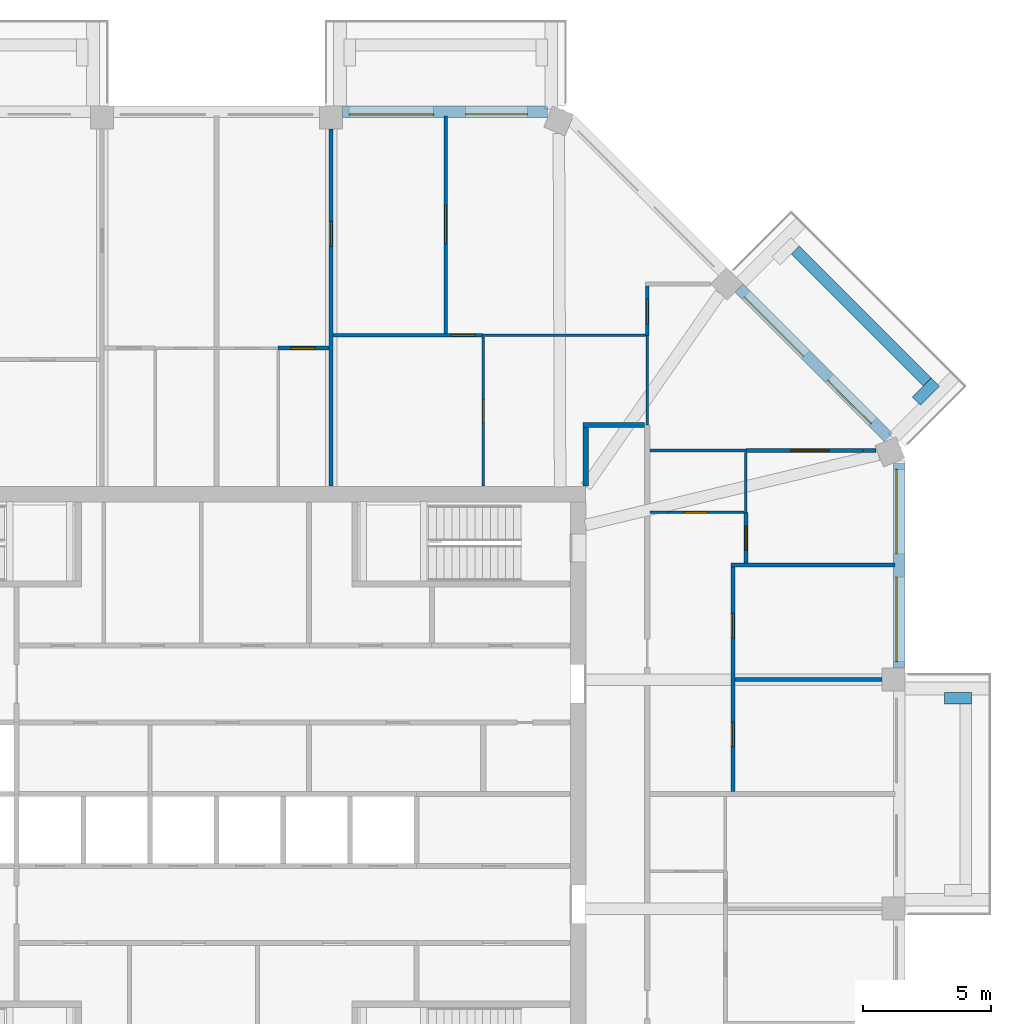
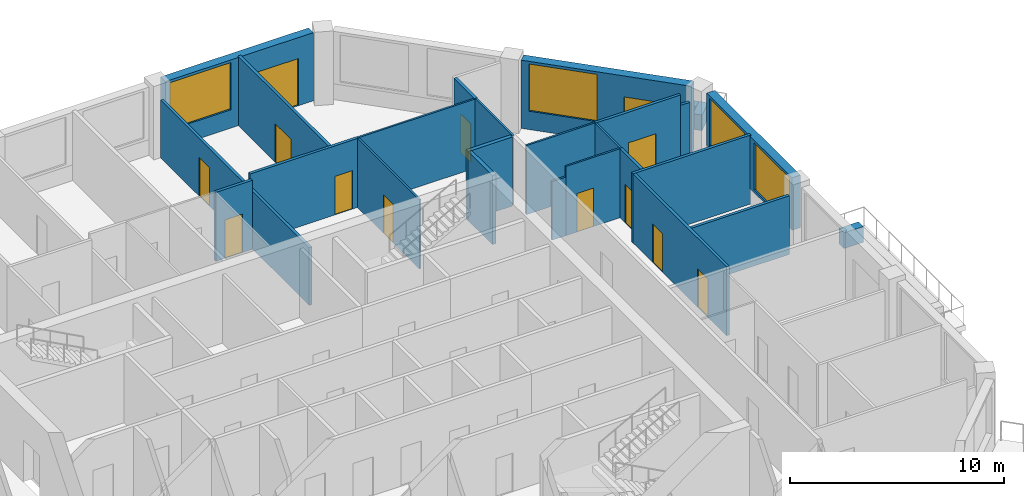
# One storey, part 9 of 12: 26 walls, 13 doors, 4 windows, 17 openings.
"""IFC4 building model written with IfcOpenShell, lengths in metres."""

from ifc_helpers import new_model, si_unit, direction, frame, frame_2d, origin, place, context, subcontext, project, spatial, rectangle, extrude, material, layer, layer_set, type_object, element, fill, save


model = new_model("IFC4")

# Units and contexts
model_context = context("Model", 3, precision=1e-05, world=origin(), true_north=direction((0.0, 1.0)))
body_context = subcontext(model_context, "Body", "Model", "MODEL_VIEW")
ifc_project = project(units=[si_unit("LENGTHUNIT", "METRE"), si_unit("AREAUNIT", "SQUARE_METRE"), si_unit("VOLUMEUNIT", "CUBIC_METRE"), si_unit("PLANEANGLEUNIT", "RADIAN"), si_unit("MASSUNIT", "GRAM", prefix="KILO")], contexts=[model_context])

# Site, building, storey
site_placement = place(None, origin())
site = spatial("IfcSite", under=ifc_project, at=site_placement, CompositionType="ELEMENT")
building_placement = place(site_placement, origin())
building = spatial("IfcBuilding", under=site, at=building_placement, Name="Msitu Wima Residences", CompositionType="ELEMENT")
storey_placement = place(building_placement, frame((0.0, 0.0, 251.699951171875)))
storey = spatial("IfcBuildingStorey", under=building, at=storey_placement, Name="L58", CompositionType="ELEMENT", Elevation=251.699951171875)

# Walls
ifc_material_1 = material(Name="Facing brick")
ifc_layer_1 = layer(ifc_material_1, 0.06494140625, Name="Facing brick")
ifc_material_2 = material(Name="Concrete C40/50", Category="concrete")
ifc_layer_2 = layer(ifc_material_2, 0.156005859375, Name="Concrete C40/50")
ifc_material_3 = material(Name="Waterproofing membrane")
ifc_layer_3 = layer(ifc_material_3, 0.00390625, Name="Waterproofing membrane")
ifc_material_4 = material(Name="Planting soil and planting")
ifc_layer_4 = layer(ifc_material_4, 0.22509765625, Name="Planting soil and planting")
ifc_layer_set_1 = layer_set([ifc_layer_1, ifc_layer_2, ifc_layer_3, ifc_layer_4], Name="Concrete C40/50")
wall_type_1 = type_object("IfcWallType", Name="Balcony planter PLANTER PL450", PredefinedType="USERDEFINED", material=ifc_layer_set_1)
wall_1_placement = place(storey_placement, frame((28.39990234375, 3.74365234375, 0.0), z_axis=(0.0, 0.0, 1.0), x_axis=(1.0, 0.0, 0.0)))
element("IfcWall", 1, at=wall_1_placement, inside=storey, type_object=wall_type_1, Name="Balcony planter E1 L58", ObjectType="PLANTER", PredefinedType="USERDEFINED", context=body_context, shape_type="SweptSolid", body=[
    extrude(rectangle(XDim=1.050048828125, YDim=0.449951171875, at=frame_2d((0.52490234375, 0.0))), origin(), (0.0, 0.0, 1.0), 0.900146484375),
])
wall_2_placement = place(storey_placement, frame((27.725830078125, 16.0751953125, 0.0), z_axis=(0.0, 0.0, 1.0), x_axis=(-0.707106781187, 0.707106781187, 0.0)))
element("IfcWall", 2, at=wall_2_placement, inside=storey, type_object=wall_type_1, Name="Balcony planter NE0 L58", ObjectType="PLANTER", PredefinedType="USERDEFINED", context=body_context, shape_type="SweptSolid", body=[
    extrude(rectangle(XDim=7.288330078125, YDim=0.449951171875, at=frame_2d((3.64404296875, 0.0))), origin(), (0.0, 0.0, 1.0), 0.900146484375),
])
wall_3_placement = place(storey_placement, frame((27.301513671875, 15.332763671875, 0.0), z_axis=(0.0, 0.0, 1.0), x_axis=(0.707106781187, 0.707106781187, 0.0)))
element("IfcWall", 3, at=wall_3_placement, inside=storey, type_object=wall_type_1, Name="Balcony planter NE0 L58", ObjectType="PLANTER", PredefinedType="USERDEFINED", context=body_context, shape_type="SweptSolid", body=[
    extrude(rectangle(XDim=1.050048828125, YDim=0.449951171875, at=frame_2d((0.52490234375, 0.0))), origin(), (0.0, 0.0, 1.0), 0.900146484375),
])

# Wall, openings, windows
ifc_material_5 = material(Name="Brick (red buff mix)", Category="masonry")
ifc_layer_5 = layer(ifc_material_5, 0.449951171875)
ifc_layer_set_2 = layer_set([ifc_layer_5], Name="Brick (red buff mix)")
wall_type_2 = type_object("IfcWallType", Name="Brick infill wall BW450", PredefinedType="SOLIDWALL", material=ifc_layer_set_2)
wall_4_placement = place(storey_placement, frame((26.625, 4.918701171875, 0.900146484375), z_axis=(0.0, 0.0, 1.0), x_axis=(0.0, 1.0, 0.0)))
wall_4 = element("IfcWall", 4, at=wall_4_placement, inside=storey, type_object=wall_type_2, Name="Brick infill wall L58 E2", PredefinedType="SOLIDWALL", context=body_context, shape_type="SweptSolid", body=[
    extrude(rectangle(XDim=8.0, YDim=0.449951171875, at=frame_2d((4.0, 0.0))), origin(), (0.0, 0.0, 1.0), 3.0),
])
opening_1_placement = place(wall_4_placement, frame((0.25, 0.0, 0.14990234375)))
opening_1 = element("IfcOpeningElement", 5, at=opening_1_placement, cuts=wall_4, Name="Opening W57-59.004", PredefinedType="OPENING", context=body_context, shape_type="SweptSolid", body=[
    extrude(rectangle(XDim=3.300048828125, YDim=2.699951171875, at=frame_2d((1.64990234375, 1.35009765625))), frame((0.0, 0.23486328125, 0.0), z_axis=(0.0, -1.0, 0.0), x_axis=(1.0, 0.0, 0.0)), (0.0, 0.0, 1.0), 0.469970703125),
])
opening_2_placement = place(wall_4_placement, frame((4.4501953125, 0.0, 0.14990234375)))
opening_2 = element("IfcOpeningElement", 6, at=opening_2_placement, cuts=wall_4, Name="Opening W57-59.005", PredefinedType="OPENING", context=body_context, shape_type="SweptSolid", body=[
    extrude(rectangle(XDim=3.300048828125, YDim=2.699951171875, at=frame_2d((1.64990234375, 1.35009765625))), frame((0.0, 0.23486328125, 0.0), z_axis=(0.0, -1.0, 0.0), x_axis=(1.0, 0.0, 0.0)), (0.0, 0.0, 1.0), 0.469970703125),
])
ifc_material_6 = material(Name="Anodised aluminium, bronze finish, clear low-emissivity double glazing", Category="aluminium")
window_type = type_object("IfcWindowType", Name="Window W3300x2700", PartitioningType="DOUBLE_PANEL_VERTICAL", PredefinedType="WINDOW", material=ifc_material_6)
window_1_placement = place(opening_1_placement, origin())
window_1 = element("IfcWindow", 7, at=window_1_placement, inside=storey, type_object=window_type, Name="Window L58 E2.1", OverallHeight=2.699951171875, OverallWidth=3.300048828125, PartitioningType="SINGLE_PANEL", PredefinedType="WINDOW", context=body_context, shape_type="SweptSolid", body=[
    extrude(rectangle(XDim=3.300048828125, YDim=2.699951171875, at=frame_2d((1.64990234375, 1.35009765625))), frame((0.0, 0.135009765625, 0.0), z_axis=(0.0, -1.0, 0.0), x_axis=(1.0, 0.0, 0.0)), (0.0, 0.0, 1.0), 0.06005859375),
])
fill(opening_1, window_1)
window_2_placement = place(opening_2_placement, origin())
window_2 = element("IfcWindow", 8, at=window_2_placement, inside=storey, type_object=window_type, Name="Window L58 E2.2", OverallHeight=2.699951171875, OverallWidth=3.300048828125, PartitioningType="SINGLE_PANEL", PredefinedType="WINDOW", context=body_context, shape_type="SweptSolid", body=[
    extrude(rectangle(XDim=3.300048828125, YDim=2.699951171875, at=frame_2d((1.64990234375, 1.35009765625))), frame((0.0, 0.135009765625, 0.0), z_axis=(0.0, -1.0, 0.0), x_axis=(1.0, 0.0, 0.0)), (0.0, 0.0, 1.0), 0.06005859375),
])
fill(opening_2, window_2)

# Wall, openings, door, window
wall_5_placement = place(storey_placement, frame((26.214599609375, 13.909423828125, 0.0), z_axis=(0.0, 0.0, 1.0), x_axis=(-0.707106781187, 0.707106781187, 0.0)))
wall_5 = element("IfcWall", 9, at=wall_5_placement, inside=storey, type_object=wall_type_2, Name="Brick infill wall L58 NE0", PredefinedType="SOLIDWALL", context=body_context, shape_type="SweptSolid", body=[
    extrude(rectangle(XDim=8.251220703125, YDim=0.449951171875, at=frame_2d((4.12548828125, 0.0))), origin(), (0.0, 0.0, 1.0), 3.900146484375),
])
opening_3_placement = place(wall_5_placement, frame((0.86279296875, 0.0, 0.0)))
opening_3 = element("IfcOpeningElement", 10, at=opening_3_placement, cuts=wall_5, Name="Opening D57-59.004", PredefinedType="OPENING", context=body_context, shape_type="SweptSolid", body=[
    extrude(rectangle(XDim=2.39990234375, YDim=2.699951171875, at=frame_2d((1.199951171875, 1.35009765625))), frame((0.0, 0.23486328125, 0.0), z_axis=(0.0, -1.0, 0.0), x_axis=(1.0, 0.0, 0.0)), (0.0, 0.0, 1.0), 0.469970703125),
])
opening_4_placement = place(wall_5_placement, frame((4.57568359375, 0.0, 1.050048828125)))
opening_4 = element("IfcOpeningElement", 11, at=opening_4_placement, cuts=wall_5, Name="Opening W57-59.010", PredefinedType="OPENING", context=body_context, shape_type="SweptSolid", body=[
    extrude(rectangle(XDim=3.300048828125, YDim=2.699951171875, at=frame_2d((1.64990234375, 1.35009765625))), frame((0.0, 0.23486328125, 0.0), z_axis=(0.0, -1.0, 0.0), x_axis=(1.0, 0.0, 0.0)), (0.0, 0.0, 1.0), 0.469970703125),
])
door_type_1 = type_object("IfcDoorType", Name="Balcony door D2400x2700", OperationType="SLIDING_TO_LEFT", PredefinedType="DOOR", material=ifc_material_6)
door_1_placement = place(opening_3_placement, origin())
door_1 = element("IfcDoor", 12, at=door_1_placement, inside=storey, type_object=door_type_1, Name="Balcony door L58 NE0", OperationType="SINGLE_SWING_LEFT", OverallHeight=2.699951171875, OverallWidth=2.39990234375, PredefinedType="DOOR", context=body_context, shape_type="SweptSolid", body=[
    extrude(rectangle(XDim=2.39990234375, YDim=2.699951171875, at=frame_2d((1.199951171875, 1.35009765625))), frame((0.0, 0.1298828125, 0.0), z_axis=(0.0, -1.0, 0.0), x_axis=(1.0, 0.0, 0.0)), (0.0, 0.0, 1.0), 0.050048828125),
])
fill(opening_3, door_1)
window_3_placement = place(opening_4_placement, origin())
window_3 = element("IfcWindow", 13, at=window_3_placement, inside=storey, type_object=window_type, Name="Window L58 NE0.2", OverallHeight=2.699951171875, OverallWidth=3.300048828125, PartitioningType="SINGLE_PANEL", PredefinedType="WINDOW", context=body_context, shape_type="SweptSolid", body=[
    extrude(rectangle(XDim=3.300048828125, YDim=2.699951171875, at=frame_2d((1.64990234375, 1.35009765625))), frame((0.0, 0.135009765625, 0.0), z_axis=(0.0, -1.0, 0.0), x_axis=(1.0, 0.0, 0.0)), (0.0, 0.0, 1.0), 0.06005859375),
])
fill(opening_4, window_3)

wall_6_placement = place(storey_placement, frame((12.918701171875, 26.625, 0.0), z_axis=(0.0, 0.0, 1.0), x_axis=(-1.0, 0.0, 0.0)))
wall_6 = element("IfcWall", 14, at=wall_6_placement, inside=storey, type_object=wall_type_2, Name="Brick infill wall L58 N0", PredefinedType="SOLIDWALL", context=body_context, shape_type="SweptSolid", body=[
    extrude(rectangle(XDim=8.0, YDim=0.449951171875, at=frame_2d((4.0, 0.0))), origin(), (0.0, 0.0, 1.0), 3.900146484375),
])
opening_5_placement = place(wall_6_placement, frame((0.800048828125, 0.0, 0.0)))
opening_5 = element("IfcOpeningElement", 15, at=opening_5_placement, cuts=wall_6, Name="Opening D57-59.002", PredefinedType="OPENING", context=body_context, shape_type="SweptSolid", body=[
    extrude(rectangle(XDim=2.39990234375, YDim=2.699951171875, at=frame_2d((1.199951171875, 1.35009765625))), frame((0.0, 0.23486328125, 0.0), z_axis=(0.0, -1.0, 0.0), x_axis=(1.0, 0.0, 0.0)), (0.0, 0.0, 1.0), 0.469970703125),
])
opening_6_placement = place(wall_6_placement, frame((4.4501953125, 0.0, 1.050048828125)))
opening_6 = element("IfcOpeningElement", 16, at=opening_6_placement, cuts=wall_6, Name="Opening W57-59.006", PredefinedType="OPENING", context=body_context, shape_type="SweptSolid", body=[
    extrude(rectangle(XDim=3.300048828125, YDim=2.699951171875, at=frame_2d((1.64990234375, 1.35009765625))), frame((0.0, 0.23486328125, 0.0), z_axis=(0.0, -1.0, 0.0), x_axis=(1.0, 0.0, 0.0)), (0.0, 0.0, 1.0), 0.469970703125),
])
door_2_placement = place(opening_5_placement, origin())
door_2 = element("IfcDoor", 17, at=door_2_placement, inside=storey, type_object=door_type_1, Name="Balcony door L58 N0", OperationType="SINGLE_SWING_LEFT", OverallHeight=2.699951171875, OverallWidth=2.39990234375, PredefinedType="DOOR", context=body_context, shape_type="SweptSolid", body=[
    extrude(rectangle(XDim=2.39990234375, YDim=2.699951171875, at=frame_2d((1.199951171875, 1.35009765625))), frame((0.0, 0.1298828125, 0.0), z_axis=(0.0, -1.0, 0.0), x_axis=(1.0, 0.0, 0.0)), (0.0, 0.0, 1.0), 0.050048828125),
])
fill(opening_5, door_2)
window_4_placement = place(opening_6_placement, origin())
window_4 = element("IfcWindow", 18, at=window_4_placement, inside=storey, type_object=window_type, Name="Window L58 N0.2", OverallHeight=2.699951171875, OverallWidth=3.300048828125, PartitioningType="SINGLE_PANEL", PredefinedType="WINDOW", context=body_context, shape_type="SweptSolid", body=[
    extrude(rectangle(XDim=3.300048828125, YDim=2.699951171875, at=frame_2d((1.64990234375, 1.35009765625))), frame((0.0, 0.135009765625, 0.0), z_axis=(0.0, -1.0, 0.0), x_axis=(1.0, 0.0, 0.0)), (0.0, 0.0, 1.0), 0.06005859375),
])
fill(opening_6, window_4)

# Walls
ifc_material_7 = material(Name="Plaster")
ifc_layer_6 = layer(ifc_material_7, 0.011962890625, Name="Plaster")
ifc_material_8 = material(Name="Concrete blockwork", Category="masonry")
ifc_layer_7 = layer(ifc_material_8, 0.176025390625, Name="Concrete blockwork")
ifc_layer_8 = layer(ifc_material_7, 0.011962890625, Name="Plaster")
ifc_layer_set_3 = layer_set([ifc_layer_6, ifc_layer_7, ifc_layer_8], Name="Concrete blockwork")
wall_type_3 = type_object("IfcWallType", Name="Corridor wall FW200", PredefinedType="PARTITIONING", material=ifc_layer_set_3)
wall_7_placement = place(storey_placement, frame((14.39990234375, 12.030029296875, 0.0), z_axis=(0.0, 0.0, 1.0), x_axis=(0.0, 1.0, 0.0)))
element("IfcWall", 19, at=wall_7_placement, inside=storey, type_object=wall_type_3, Name="Corridor wall", PredefinedType="PARTITIONING", context=body_context, shape_type="SweptSolid", body=[
    extrude(rectangle(XDim=2.27001953125, YDim=0.199951171875, at=frame_2d((1.135009765625, 0.0))), origin(), (0.0, 0.0, 1.0), 3.949951171875),
])
wall_8_placement = place(storey_placement, frame((14.300048828125, 14.39990234375, 0.0), z_axis=(0.0, 0.0, 1.0), x_axis=(1.0, 0.0, 0.0)))
element("IfcWall", 20, at=wall_8_placement, inside=storey, type_object=wall_type_3, Name="Corridor wall", PredefinedType="PARTITIONING", context=body_context, shape_type="SweptSolid", body=[
    extrude(rectangle(XDim=2.39990234375, YDim=0.199951171875, at=frame_2d((1.199951171875, 0.0))), origin(), (0.0, 0.0, 1.0), 3.949951171875),
])

# Wall, opening, door
ifc_layer_9 = layer(ifc_material_7, 0.011962890625, Name="Plaster")
ifc_layer_10 = layer(ifc_material_8, 0.1259765625, Name="Concrete blockwork")
ifc_layer_11 = layer(ifc_material_7, 0.011962890625, Name="Plaster")
ifc_layer_set_4 = layer_set([ifc_layer_9, ifc_layer_10, ifc_layer_11], Name="Concrete blockwork")
wall_type_4 = type_object("IfcWallType", Name="Partition PW150", PredefinedType="PARTITIONING", material=ifc_layer_set_4)
wall_9_placement = place(storey_placement, frame((2.39990234375, 17.39990234375, 0.0), z_axis=(0.0, 0.0, 1.0), x_axis=(1.0, 0.0, 0.0)))
wall_9 = element("IfcWall", 21, at=wall_9_placement, inside=storey, type_object=wall_type_4, Name="Partition", PredefinedType="PARTITIONING", context=body_context, shape_type="SweptSolid", body=[
    extrude(rectangle(XDim=1.99365234375, YDim=0.14990234375, at=frame_2d((0.996826171875, 0.0))), origin(), (0.0, 0.0, 1.0), 3.949951171875),
])
opening_7_placement = place(wall_9_placement, frame((0.5, 0.0, 0.0)))
opening_7 = element("IfcOpeningElement", 22, at=opening_7_placement, cuts=wall_9, Name="Opening D57-59.015", PredefinedType="OPENING", context=body_context, shape_type="SweptSolid", body=[
    extrude(rectangle(XDim=0.949951171875, YDim=2.199951171875, at=frame_2d((0.47509765625, 1.10009765625))), frame((0.0, 0.0849609375, 0.0), z_axis=(0.0, -1.0, 0.0), x_axis=(1.0, 0.0, 0.0)), (0.0, 0.0, 1.0), 0.169921875),
])
ifc_material_9 = material(Name="Timber flush door", Category="wood")
door_type_2 = type_object("IfcDoorType", Name="Room door D12 950x2200", OperationType="SINGLE_SWING_LEFT", PredefinedType="DOOR", material=ifc_material_9)
door_3_placement = place(opening_7_placement, origin())
door_3 = element("IfcDoor", 23, at=door_3_placement, inside=storey, type_object=door_type_2, Name="Room door", OperationType="SINGLE_SWING_RIGHT", OverallHeight=2.199951171875, OverallWidth=0.949951171875, PredefinedType="DOOR", context=body_context, shape_type="SweptSolid", body=[
    extrude(rectangle(XDim=0.949951171875, YDim=2.199951171875, at=frame_2d((0.47509765625, 1.10009765625))), frame((0.0, 0.02490234375, 0.0), z_axis=(0.0, -1.0, 0.0), x_axis=(1.0, 0.0, 0.0)), (0.0, 0.0, 1.0), 0.050048828125),
])
fill(opening_7, door_3)

wall_10_placement = place(storey_placement, frame((4.46875, 12.030029296875, 0.0), z_axis=(0.0, 0.0, 1.0), x_axis=(0.0, 1.0, 0.0)))
wall_10 = element("IfcWall", 24, at=wall_10_placement, inside=storey, type_object=wall_type_4, Name="Partition", PredefinedType="PARTITIONING", context=body_context, shape_type="SweptSolid", body=[
    extrude(rectangle(XDim=13.919921875, YDim=0.14990234375, at=frame_2d((6.9599609375, 0.0))), origin(), (0.0, 0.0, 1.0), 3.300048828125),
])
opening_8_placement = place(wall_10_placement, frame((9.35009765625, 0.0, 0.0)))
opening_8 = element("IfcOpeningElement", 25, at=opening_8_placement, cuts=wall_10, Name="Opening D57-59.013", PredefinedType="OPENING", context=body_context, shape_type="SweptSolid", body=[
    extrude(rectangle(XDim=0.949951171875, YDim=2.199951171875, at=frame_2d((0.47509765625, 1.10009765625))), frame((0.0, 0.0849609375, 0.0), z_axis=(0.0, -1.0, 0.0), x_axis=(1.0, 0.0, 0.0)), (0.0, 0.0, 1.0), 0.169921875),
])
door_4_placement = place(opening_8_placement, origin())
door_4 = element("IfcDoor", 26, at=door_4_placement, inside=storey, type_object=door_type_2, Name="Room door", OperationType="SINGLE_SWING_RIGHT", OverallHeight=2.199951171875, OverallWidth=0.949951171875, PredefinedType="DOOR", context=body_context, shape_type="SweptSolid", body=[
    extrude(rectangle(XDim=0.949951171875, YDim=2.199951171875, at=frame_2d((0.47509765625, 1.10009765625))), frame((0.0, 0.02490234375, 0.0), z_axis=(0.0, -1.0, 0.0), x_axis=(1.0, 0.0, 0.0)), (0.0, 0.0, 1.0), 0.050048828125),
])
fill(opening_8, door_4)

wall_11_placement = place(storey_placement, frame((4.543701171875, 17.89990234375, 0.0), z_axis=(0.0, 0.0, 1.0), x_axis=(1.0, 0.0, 0.0)))
wall_11 = element("IfcWall", 27, at=wall_11_placement, inside=storey, type_object=wall_type_4, Name="Partition", PredefinedType="PARTITIONING", context=body_context, shape_type="SweptSolid", body=[
    extrude(rectangle(XDim=5.836181640625, YDim=0.14990234375, at=frame_2d((2.91796875, 0.0))), origin(), (0.0, 0.0, 1.0), 3.949951171875),
])
opening_9_placement = place(wall_11_placement, frame((4.60009765625, 0.0, 0.0)))
opening_9 = element("IfcOpeningElement", 28, at=opening_9_placement, cuts=wall_11, Name="Opening D57-59.021", PredefinedType="OPENING", context=body_context, shape_type="SweptSolid", body=[
    extrude(rectangle(XDim=0.949951171875, YDim=2.199951171875, at=frame_2d((0.47509765625, 1.10009765625))), frame((0.0, 0.0849609375, 0.0), z_axis=(0.0, -1.0, 0.0), x_axis=(1.0, 0.0, 0.0)), (0.0, 0.0, 1.0), 0.169921875),
])
door_5_placement = place(opening_9_placement, origin())
door_5 = element("IfcDoor", 29, at=door_5_placement, inside=storey, type_object=door_type_2, Name="Room door", OperationType="SINGLE_SWING_LEFT", OverallHeight=2.199951171875, OverallWidth=0.949951171875, PredefinedType="DOOR", context=body_context, shape_type="SweptSolid", body=[
    extrude(rectangle(XDim=0.949951171875, YDim=2.199951171875, at=frame_2d((0.47509765625, 1.10009765625))), frame((0.0, 0.02490234375, 0.0), z_axis=(0.0, -1.0, 0.0), x_axis=(1.0, 0.0, 0.0)), (0.0, 0.0, 1.0), 0.050048828125),
])
fill(opening_9, door_5)

wall_12_placement = place(storey_placement, frame((8.937255859375, 17.97509765625, 0.0), z_axis=(0.0, 0.0, 1.0), x_axis=(0.0, 1.0, 0.0)))
wall_12 = element("IfcWall", 30, at=wall_12_placement, inside=storey, type_object=wall_type_4, Name="Partition", PredefinedType="PARTITIONING", context=body_context, shape_type="SweptSolid", body=[
    extrude(rectangle(XDim=8.47998046875, YDim=0.14990234375, at=frame_2d((4.239990234375, 0.0))), origin(), (0.0, 0.0, 1.0), 3.949951171875),
])
opening_10_placement = place(wall_12_placement, frame((3.5, 0.0, 0.0)))
opening_10 = element("IfcOpeningElement", 31, at=opening_10_placement, cuts=wall_12, Name="Opening D57-59.023", PredefinedType="OPENING", context=body_context, shape_type="SweptSolid", body=[
    extrude(rectangle(XDim=1.5, YDim=2.199951171875, at=frame_2d((0.75, 1.10009765625))), frame((0.0, 0.0849609375, 0.0), z_axis=(0.0, -1.0, 0.0), x_axis=(1.0, 0.0, 0.0)), (0.0, 0.0, 1.0), 0.169921875),
])
ifc_material_10 = material(Name="Timber double door", Category="wood")
door_type_3 = type_object("IfcDoorType", Name="Double door D04 1500x2200", OperationType="DOUBLE_DOOR_SINGLE_SWING", PredefinedType="DOOR", material=ifc_material_10)
door_6_placement = place(opening_10_placement, origin())
door_6 = element("IfcDoor", 32, at=door_6_placement, inside=storey, type_object=door_type_3, Name="Double door", OperationType="DOUBLE_DOOR_SINGLE_SWING", OverallHeight=2.199951171875, OverallWidth=1.5, PredefinedType="DOOR", context=body_context, shape_type="SweptSolid", body=[
    extrude(rectangle(XDim=1.5, YDim=2.199951171875, at=frame_2d((0.75, 1.10009765625))), frame((0.0, 0.02490234375, 0.0), z_axis=(0.0, -1.0, 0.0), x_axis=(1.0, 0.0, 0.0)), (0.0, 0.0, 1.0), 0.050048828125),
])
fill(opening_10, door_6)

wall_13_placement = place(storey_placement, frame((16.800048828125, 17.89990234375, 0.0), z_axis=(0.0, 0.0, 1.0), x_axis=(0.0, 1.0, 0.0)))
wall_13 = element("IfcWall", 33, at=wall_13_placement, inside=storey, type_object=wall_type_4, Name="Partition", PredefinedType="PARTITIONING", context=body_context, shape_type="SweptSolid", body=[
    extrude(rectangle(XDim=1.927978515625, YDim=0.14990234375, at=frame_2d((0.9638671875, 0.0))), origin(), (0.0, 0.0, 1.0), 3.949951171875),
])
opening_11_placement = place(wall_13_placement, frame((0.449951171875, 0.0, 0.0)))
opening_11 = element("IfcOpeningElement", 34, at=opening_11_placement, cuts=wall_13, Name="Opening D57-59.020", PredefinedType="OPENING", context=body_context, shape_type="SweptSolid", body=[
    extrude(rectangle(XDim=0.949951171875, YDim=2.199951171875, at=frame_2d((0.47509765625, 1.10009765625))), frame((0.0, 0.0849609375, 0.0), z_axis=(0.0, -1.0, 0.0), x_axis=(1.0, 0.0, 0.0)), (0.0, 0.0, 1.0), 0.169921875),
])
door_7_placement = place(opening_11_placement, origin())
door_7 = element("IfcDoor", 35, at=door_7_placement, inside=storey, type_object=door_type_2, Name="Room door", OperationType="SINGLE_SWING_LEFT", OverallHeight=2.199951171875, OverallWidth=0.949951171875, PredefinedType="DOOR", context=body_context, shape_type="SweptSolid", body=[
    extrude(rectangle(XDim=0.949951171875, YDim=2.199951171875, at=frame_2d((0.47509765625, 1.10009765625))), frame((0.0, 0.02490234375, 0.0), z_axis=(0.0, -1.0, 0.0), x_axis=(1.0, 0.0, 0.0)), (0.0, 0.0, 1.0), 0.050048828125),
])
fill(opening_11, door_7)

# Wall, openings, doors
wall_14_placement = place(storey_placement, frame((20.14990234375, 0.10009765625, 0.0), z_axis=(0.0, 0.0, 1.0), x_axis=(0.0, 1.0, 0.0)))
wall_14 = element("IfcWall", 36, at=wall_14_placement, inside=storey, type_object=wall_type_4, Name="Partition", PredefinedType="PARTITIONING", context=body_context, shape_type="SweptSolid", body=[
    extrude(rectangle(XDim=8.76220703125, YDim=0.14990234375, at=frame_2d((4.381103515625, 0.0))), origin(), (0.0, 0.0, 1.0), 3.949951171875),
])
opening_12_placement = place(wall_14_placement, frame((1.75, 0.0, 0.0)))
opening_12 = element("IfcOpeningElement", 37, at=opening_12_placement, cuts=wall_14, Name="Opening D57-59.016", PredefinedType="OPENING", context=body_context, shape_type="SweptSolid", body=[
    extrude(rectangle(XDim=0.949951171875, YDim=2.199951171875, at=frame_2d((0.47509765625, 1.10009765625))), frame((0.0, 0.0849609375, 0.0), z_axis=(0.0, -1.0, 0.0), x_axis=(1.0, 0.0, 0.0)), (0.0, 0.0, 1.0), 0.169921875),
])
opening_13_placement = place(wall_14_placement, frame((6.0, 0.0, 0.0)))
opening_13 = element("IfcOpeningElement", 38, at=opening_13_placement, cuts=wall_14, Name="Opening D57-59.017", PredefinedType="OPENING", context=body_context, shape_type="SweptSolid", body=[
    extrude(rectangle(XDim=0.949951171875, YDim=2.199951171875, at=frame_2d((0.47509765625, 1.10009765625))), frame((0.0, 0.0849609375, 0.0), z_axis=(0.0, -1.0, 0.0), x_axis=(1.0, 0.0, 0.0)), (0.0, 0.0, 1.0), 0.169921875),
])
door_8_placement = place(opening_12_placement, origin())
door_8 = element("IfcDoor", 39, at=door_8_placement, inside=storey, type_object=door_type_2, Name="Room door", OperationType="SINGLE_SWING_LEFT", OverallHeight=2.199951171875, OverallWidth=0.949951171875, PredefinedType="DOOR", context=body_context, shape_type="SweptSolid", body=[
    extrude(rectangle(XDim=0.949951171875, YDim=2.199951171875, at=frame_2d((0.47509765625, 1.10009765625))), frame((0.0, 0.02490234375, 0.0), z_axis=(0.0, -1.0, 0.0), x_axis=(1.0, 0.0, 0.0)), (0.0, 0.0, 1.0), 0.050048828125),
])
fill(opening_12, door_8)
door_9_placement = place(opening_13_placement, origin())
door_9 = element("IfcDoor", 40, at=door_9_placement, inside=storey, type_object=door_type_2, Name="Room door", OperationType="SINGLE_SWING_RIGHT", OverallHeight=2.199951171875, OverallWidth=0.949951171875, PredefinedType="DOOR", context=body_context, shape_type="SweptSolid", body=[
    extrude(rectangle(XDim=0.949951171875, YDim=2.199951171875, at=frame_2d((0.47509765625, 1.10009765625))), frame((0.0, 0.02490234375, 0.0), z_axis=(0.0, -1.0, 0.0), x_axis=(1.0, 0.0, 0.0)), (0.0, 0.0, 1.0), 0.050048828125),
])
fill(opening_13, door_9)

# Walls
wall_15_placement = place(storey_placement, frame((20.22509765625, 4.46875, 0.0), z_axis=(0.0, 0.0, 1.0), x_axis=(1.0, 0.0, 0.0)))
element("IfcWall", 41, at=wall_15_placement, inside=storey, type_object=wall_type_4, Name="Partition", PredefinedType="PARTITIONING", context=body_context, shape_type="SweptSolid", body=[
    extrude(rectangle(XDim=5.724853515625, YDim=0.14990234375, at=frame_2d((2.8623046875, 0.0))), origin(), (0.0, 0.0, 1.0), 3.35009765625),
])
wall_16_placement = place(storey_placement, frame((20.074951171875, 8.937255859375, 0.0), z_axis=(0.0, 0.0, 1.0), x_axis=(1.0, 0.0, 0.0)))
element("IfcWall", 42, at=wall_16_placement, inside=storey, type_object=wall_type_4, Name="Partition", PredefinedType="PARTITIONING", context=body_context, shape_type="SweptSolid", body=[
    extrude(rectangle(XDim=6.380126953125, YDim=0.14990234375, at=frame_2d((3.18994140625, 0.0))), origin(), (0.0, 0.0, 1.0), 3.949951171875),
])

# Wall, opening, door
wall_17_placement = place(storey_placement, frame((20.64990234375, 9.01220703125, 0.0), z_axis=(0.0, 0.0, 1.0), x_axis=(0.0, 1.0, 0.0)))
wall_17 = element("IfcWall", 43, at=wall_17_placement, inside=storey, type_object=wall_type_4, Name="Partition", PredefinedType="PARTITIONING", context=body_context, shape_type="SweptSolid", body=[
    extrude(rectangle(XDim=1.9677734375, YDim=0.14990234375, at=frame_2d((0.98388671875, 0.0))), origin(), (0.0, 0.0, 1.0), 3.949951171875),
])
opening_14_placement = place(wall_17_placement, frame((0.5, 0.0, 0.0)))
opening_14 = element("IfcOpeningElement", 44, at=opening_14_placement, cuts=wall_17, Name="Opening D57-59.018", PredefinedType="OPENING", context=body_context, shape_type="SweptSolid", body=[
    extrude(rectangle(XDim=0.949951171875, YDim=2.199951171875, at=frame_2d((0.47509765625, 1.10009765625))), frame((0.0, 0.0849609375, 0.0), z_axis=(0.0, -1.0, 0.0), x_axis=(1.0, 0.0, 0.0)), (0.0, 0.0, 1.0), 0.169921875),
])
door_10_placement = place(opening_14_placement, origin())
door_10 = element("IfcDoor", 45, at=door_10_placement, inside=storey, type_object=door_type_2, Name="Room door", OperationType="SINGLE_SWING_RIGHT", OverallHeight=2.199951171875, OverallWidth=0.949951171875, PredefinedType="DOOR", context=body_context, shape_type="SweptSolid", body=[
    extrude(rectangle(XDim=0.949951171875, YDim=2.199951171875, at=frame_2d((0.47509765625, 1.10009765625))), frame((0.0, 0.02490234375, 0.0), z_axis=(0.0, -1.0, 0.0), x_axis=(1.0, 0.0, 0.0)), (0.0, 0.0, 1.0), 0.050048828125),
])
fill(opening_14, door_10)

wall_18_placement = place(storey_placement, frame((20.64990234375, 13.406005859375, 0.0), z_axis=(0.0, 0.0, 1.0), x_axis=(1.0, 0.0, 0.0)))
wall_18 = element("IfcWall", 46, at=wall_18_placement, inside=storey, type_object=wall_type_4, Name="Partition", PredefinedType="PARTITIONING", context=body_context, shape_type="SweptSolid", body=[
    extrude(rectangle(XDim=4.57421875, YDim=0.14990234375, at=frame_2d((2.287109375, 0.0))), origin(), (0.0, 0.0, 1.0), 3.949951171875),
])
opening_15_placement = place(wall_18_placement, frame((1.75, 0.0, 0.0)))
opening_15 = element("IfcOpeningElement", 47, at=opening_15_placement, cuts=wall_18, Name="Opening D57-59.019", PredefinedType="OPENING", context=body_context, shape_type="SweptSolid", body=[
    extrude(rectangle(XDim=1.5, YDim=2.199951171875, at=frame_2d((0.75, 1.10009765625))), frame((0.0, 0.0849609375, 0.0), z_axis=(0.0, -1.0, 0.0), x_axis=(1.0, 0.0, 0.0)), (0.0, 0.0, 1.0), 0.169921875),
])
door_11_placement = place(opening_15_placement, origin())
door_11 = element("IfcDoor", 48, at=door_11_placement, inside=storey, type_object=door_type_3, Name="Double door", OperationType="DOUBLE_DOOR_SINGLE_SWING", OverallHeight=2.199951171875, OverallWidth=1.5, PredefinedType="DOOR", context=body_context, shape_type="SweptSolid", body=[
    extrude(rectangle(XDim=1.5, YDim=2.199951171875, at=frame_2d((0.75, 1.10009765625))), frame((0.0, 0.02490234375, 0.0), z_axis=(0.0, -1.0, 0.0), x_axis=(1.0, 0.0, 0.0)), (0.0, 0.0, 1.0), 0.050048828125),
])
fill(opening_15, door_11)

# Walls
wall_19_placement = place(storey_placement, frame((25.22412109375, 13.406005859375, 0.0), z_axis=(0.0, 0.0, 1.0), x_axis=(1.0, 0.0, 0.0)))
element("IfcWall", 49, at=wall_19_placement, inside=storey, type_object=wall_type_4, Name="Partition", PredefinedType="PARTITIONING", context=body_context, shape_type="SweptSolid", body=[
    extrude(rectangle(XDim=0.507080078125, YDim=0.14990234375, at=frame_2d((0.25341796875, 0.0))), origin(), (0.0, 0.0, 1.0), 3.35009765625),
])
ifc_material_11 = material(Name="Ceramic tiles")
ifc_layer_12 = layer(ifc_material_11, 0.008056640625, Name="Ceramic tiles")
ifc_material_12 = material(Name="Moisture-resistant board")
ifc_layer_13 = layer(ifc_material_12, 0.012451171875, Name="Moisture-resistant board")
ifc_material_13 = material(Name="Light-gauge stud framing with mineral wool")
ifc_layer_14 = layer(ifc_material_13, 0.06689453125, Name="Light-gauge stud framing with mineral wool")
ifc_layer_15 = layer(ifc_material_12, 0.012451171875, Name="Moisture-resistant board")
ifc_layer_set_5 = layer_set([ifc_layer_12, ifc_layer_13, ifc_layer_14, ifc_layer_15], Name="Light-gauge stud framing with mineral wool")
wall_type_5 = type_object("IfcWallType", Name="Wet wall PW100", PredefinedType="PARTITIONING", material=ifc_layer_set_5)
wall_20_placement = place(storey_placement, frame((10.3798828125, 17.89990234375, 0.0), z_axis=(0.0, 0.0, 1.0), x_axis=(1.0, 0.0, 0.0)))
element("IfcWall", 50, at=wall_20_placement, inside=storey, type_object=wall_type_5, Name="Wet wall", PredefinedType="PARTITIONING", context=body_context, shape_type="SweptSolid", body=[
    extrude(rectangle(XDim=6.34521484375, YDim=0.10009765625, at=frame_2d((3.172607421875, 0.0))), origin(), (0.0, 0.0, 1.0), 3.949951171875),
])

# Wall, opening, door
wall_21_placement = place(storey_placement, frame((10.39990234375, 12.030029296875, 0.0), z_axis=(0.0, 0.0, 1.0), x_axis=(0.0, 1.0, 0.0)))
wall_21 = element("IfcWall", 51, at=wall_21_placement, inside=storey, type_object=wall_type_5, Name="Wet wall", PredefinedType="PARTITIONING", context=body_context, shape_type="SweptSolid", body=[
    extrude(rectangle(XDim=5.794921875, YDim=0.10009765625, at=frame_2d((2.8974609375, 0.0))), origin(), (0.0, 0.0, 1.0), 3.949951171875),
])
opening_16_placement = place(wall_21_placement, frame((2.449951171875, 0.0, 0.0)))
opening_16 = element("IfcOpeningElement", 52, at=opening_16_placement, cuts=wall_21, Name="Opening D57-59.022", PredefinedType="OPENING", context=body_context, shape_type="SweptSolid", body=[
    extrude(rectangle(XDim=0.89990234375, YDim=2.199951171875, at=frame_2d((0.449951171875, 1.10009765625))), frame((0.0, 0.06005859375, 0.0), z_axis=(0.0, -1.0, 0.0), x_axis=(1.0, 0.0, 0.0)), (0.0, 0.0, 1.0), 0.1201171875),
])
door_type_4 = type_object("IfcDoorType", Name="Service door D05 900x2200", OperationType="SINGLE_SWING_LEFT", PredefinedType="DOOR", material=ifc_material_9)
door_12_placement = place(opening_16_placement, origin())
door_12 = element("IfcDoor", 53, at=door_12_placement, inside=storey, type_object=door_type_4, Name="Service door", OperationType="SINGLE_SWING_RIGHT", OverallHeight=2.199951171875, OverallWidth=0.89990234375, PredefinedType="DOOR", context=body_context, shape_type="SweptSolid", body=[
    extrude(rectangle(XDim=0.89990234375, YDim=2.199951171875, at=frame_2d((0.449951171875, 1.10009765625))), frame((0.0, 0.02490234375, 0.0), z_axis=(0.0, -1.0, 0.0), x_axis=(1.0, 0.0, 0.0)), (0.0, 0.0, 1.0), 0.050048828125),
])
fill(opening_16, door_12)

# Wall
wall_22_placement = place(storey_placement, frame((16.89990234375, 11.0, 0.0), z_axis=(0.0, 0.0, 1.0), x_axis=(1.0, 0.0, 0.0)))
element("IfcWall", 54, at=wall_22_placement, inside=storey, type_object=wall_type_5, Name="Wet wall", PredefinedType="PARTITIONING", context=body_context, shape_type="SweptSolid", body=[
    extrude(rectangle(XDim=0.75390625, YDim=0.10009765625, at=frame_2d((0.376953125, 0.0))), origin(), (0.0, 0.0, 1.0), 3.35009765625),
])

# Wall, opening, door
wall_23_placement = place(storey_placement, frame((17.65380859375, 11.0, 0.0), z_axis=(0.0, 0.0, 1.0), x_axis=(1.0, 0.0, 0.0)))
wall_23 = element("IfcWall", 55, at=wall_23_placement, inside=storey, type_object=wall_type_5, Name="Wet wall", PredefinedType="PARTITIONING", context=body_context, shape_type="SweptSolid", body=[
    extrude(rectangle(XDim=2.921142578125, YDim=0.10009765625, at=frame_2d((1.46044921875, 0.0))), origin(), (0.0, 0.0, 1.0), 3.949951171875),
])
opening_17_placement = place(wall_23_placement, frame((0.59619140625, 0.0, 0.0)))
opening_17 = element("IfcOpeningElement", 56, at=opening_17_placement, cuts=wall_23, Name="Opening D57-59.012", PredefinedType="OPENING", context=body_context, shape_type="SweptSolid", body=[
    extrude(rectangle(XDim=0.89990234375, YDim=2.199951171875, at=frame_2d((0.449951171875, 1.10009765625))), frame((0.0, 0.06005859375, 0.0), z_axis=(0.0, -1.0, 0.0), x_axis=(1.0, 0.0, 0.0)), (0.0, 0.0, 1.0), 0.1201171875),
])
ifc_material_14 = material(Name="Timber flush door, moisture resistant", Category="wood")
door_type_5 = type_object("IfcDoorType", Name="Bathroom door D03 900x2200", OperationType="SINGLE_SWING_LEFT", PredefinedType="DOOR", material=ifc_material_14)
door_13_placement = place(opening_17_placement, origin())
door_13 = element("IfcDoor", 57, at=door_13_placement, inside=storey, type_object=door_type_5, Name="Bathroom door", OperationType="SINGLE_SWING_LEFT", OverallHeight=2.199951171875, OverallWidth=0.89990234375, PredefinedType="DOOR", context=body_context, shape_type="SweptSolid", body=[
    extrude(rectangle(XDim=0.89990234375, YDim=2.199951171875, at=frame_2d((0.449951171875, 1.10009765625))), frame((0.0, 0.02490234375, 0.0), z_axis=(0.0, -1.0, 0.0), x_axis=(1.0, 0.0, 0.0)), (0.0, 0.0, 1.0), 0.050048828125),
])
fill(opening_17, door_13)

# Walls
wall_24_placement = place(storey_placement, frame((16.89990234375, 13.406005859375, 0.0), z_axis=(0.0, 0.0, 1.0), x_axis=(1.0, 0.0, 0.0)))
element("IfcWall", 58, at=wall_24_placement, inside=storey, type_object=wall_type_5, Name="Wet wall", PredefinedType="PARTITIONING", context=body_context, shape_type="SweptSolid", body=[
    extrude(rectangle(XDim=3.75, YDim=0.10009765625, at=frame_2d((1.875, 0.0))), origin(), (0.0, 0.0, 1.0), 3.949951171875),
])
wall_25_placement = place(storey_placement, frame((16.800048828125, 14.39990234375, 0.0), z_axis=(0.0, 0.0, 1.0), x_axis=(0.0, 1.0, 0.0)))
element("IfcWall", 59, at=wall_25_placement, inside=storey, type_object=wall_type_5, Name="Wet wall", PredefinedType="PARTITIONING", context=body_context, shape_type="SweptSolid", body=[
    extrude(rectangle(XDim=3.5, YDim=0.10009765625, at=frame_2d((1.75, 0.0))), origin(), (0.0, 0.0, 1.0), 3.949951171875),
])
wall_26_placement = place(storey_placement, frame((20.64990234375, 10.97998046875, 0.0), z_axis=(0.0, 0.0, 1.0), x_axis=(0.0, 1.0, 0.0)))
element("IfcWall", 60, at=wall_26_placement, inside=storey, type_object=wall_type_5, Name="Wet wall", PredefinedType="PARTITIONING", context=body_context, shape_type="SweptSolid", body=[
    extrude(rectangle(XDim=2.350830078125, YDim=0.10009765625, at=frame_2d((1.17529296875, 0.0))), origin(), (0.0, 0.0, 1.0), 3.949951171875),
])

save(model, "model.ifc")
